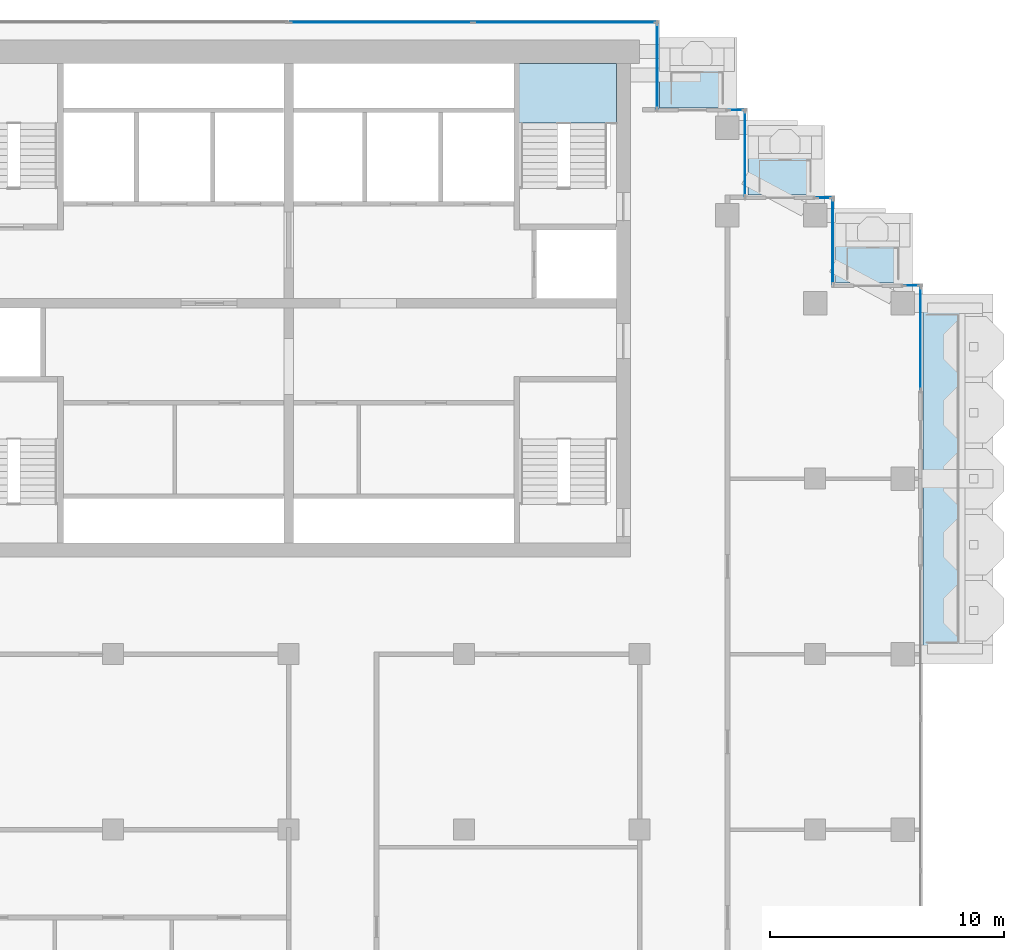
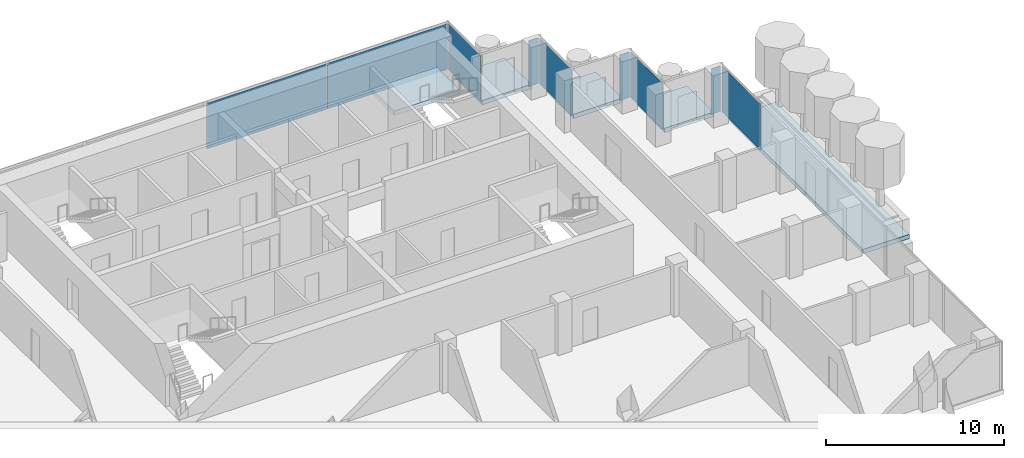
# One storey, part 10 of 18: 9 plates, 5 slabs, 9 elements without a shape of their own.
"""IFC4 building model written with IfcOpenShell, lengths in metres."""

from ifc_helpers import new_model, si_unit, direction, frame, origin, origin_2d, place, context, subcontext, project, spatial, polyline, rectangle, outline, extrude, material, layer, layer_set, type_object, element, aggregate, save


model = new_model("IFC4")

# Units and contexts
model_context = context("Model", 3, precision=1e-05, world=origin(), true_north=direction((0.0, 1.0)))
body_context = subcontext(model_context, "Body", "Model", "MODEL_VIEW")
ifc_project = project(units=[si_unit("LENGTHUNIT", "METRE"), si_unit("AREAUNIT", "SQUARE_METRE"), si_unit("VOLUMEUNIT", "CUBIC_METRE"), si_unit("PLANEANGLEUNIT", "RADIAN"), si_unit("MASSUNIT", "GRAM", prefix="KILO")], contexts=[model_context])

# Site, building, storey
site_placement = place(None, origin())
site = spatial("IfcSite", under=ifc_project, at=site_placement, CompositionType="ELEMENT")
building_placement = place(site_placement, origin())
building = spatial("IfcBuilding", under=site, at=building_placement, Name="Pilkhan Gate Tower", CompositionType="ELEMENT")
storey_placement = place(building_placement, frame((0.0, 0.0, 203.10009765625)))
storey = spatial("IfcBuildingStorey", under=building, at=storey_placement, Name="L52", CompositionType="ELEMENT", Elevation=203.10009765625)

# Slabs
ifc_material_1 = material(Name="Concrete C60/75", Category="concrete")
ifc_layer_1 = layer(ifc_material_1, 0.300048828125)
ifc_layer_set_1 = layer_set([ifc_layer_1], Name="Balcony tray slab TR300")
slab_type_1 = type_object("IfcSlabType", Name="Balcony tray slab TR300", PredefinedType="FLOOR", material=ifc_layer_set_1)
slab_1_placement = place(storey_placement, frame((0.0, 0.0, -0.300048828125)))
element("IfcSlab", 1, at=slab_1_placement, inside=storey, type_object=slab_type_1, Name="Balcony tray L52 E", PredefinedType="FLOOR", context=body_context, shape_type="SweptSolid", body=[
    extrude(outline(polyline([(105.10009765625, 67.5), (105.10009765625, 82.5), (102.10009765625, 82.5), (102.10009765625, 67.5), (105.10009765625, 67.5)])), origin(), (0.0, 0.0, 1.0), 0.300048828125),
])
slab_2_placement = place(storey_placement, frame((0.0, 0.0, -0.300048828125)))
element("IfcSlab", 2, at=slab_2_placement, inside=storey, type_object=slab_type_1, Name="Balcony tray L52 N", PredefinedType="FLOOR", context=body_context, shape_type="SweptSolid", body=[
    extrude(outline(polyline([(94.050048828125, 90.85009765625), (94.050048828125, 93.85009765625), (90.85009765625, 93.85009765625), (90.85009765625, 90.85009765625), (94.050048828125, 90.85009765625)])), origin(), (0.0, 0.0, 1.0), 0.300048828125),
])
slab_3_placement = place(storey_placement, frame((0.0, 0.0, -0.300048828125)))
element("IfcSlab", 3, at=slab_3_placement, inside=storey, type_object=slab_type_1, Name="Balcony tray L52 N", PredefinedType="FLOOR", context=body_context, shape_type="SweptSolid", body=[
    extrude(outline(polyline([(97.800048828125, 87.1201171875), (97.800048828125, 90.10009765625), (94.6201171875, 90.10009765625), (94.6201171875, 87.1201171875), (97.800048828125, 87.1201171875)])), origin(), (0.0, 0.0, 1.0), 0.300048828125),
])
slab_4_placement = place(storey_placement, frame((0.0, 0.0, -0.300048828125)))
element("IfcSlab", 4, at=slab_4_placement, inside=storey, type_object=slab_type_1, Name="Balcony tray L52 N", PredefinedType="FLOOR", context=body_context, shape_type="SweptSolid", body=[
    extrude(outline(polyline([(101.550048828125, 83.3701171875), (101.550048828125, 86.35009765625), (98.3701171875, 86.35009765625), (98.3701171875, 83.3701171875), (101.550048828125, 83.3701171875)])), origin(), (0.0, 0.0, 1.0), 0.300048828125),
])

# Curtain wall, plate
ifc_material_2 = material(Name="Pale anodised aluminium, clear low-iron double glazing", Category="aluminium")
curtain_wall_type = type_object("IfcCurtainWallType", Name="Office unitised curtain wall CW-O2", PredefinedType="USERDEFINED", material=ifc_material_2)
curtain_wall_1_placement = place(storey_placement, origin())
curtain_wall_1 = element("IfcCurtainWall", 5, at=curtain_wall_1_placement, inside=storey, type_object=curtain_wall_type, Name="Office unitised curtain wall CW-O2 L52 E", ObjectType="UNITISED CURTAIN WALL", PredefinedType="USERDEFINED")
ifc_material_3 = material(Name="Clear low-iron double glazing", Category="glass")
ifc_layer_2 = layer(ifc_material_3, 0.031982421875)
ifc_layer_set_2 = layer_set([ifc_layer_2], Name="Glass panel CW-O2 32")
plate_type = type_object("IfcPlateType", Name="Glass panel CW-O2 32", PredefinedType="CURTAIN_PANEL", material=ifc_layer_set_2)
plate_1_placement = place(storey_placement, frame((102.0, 81.0, 0.0), z_axis=(0.0, 0.0, 1.0), x_axis=(0.0, 1.0, 0.0)))
plate_1 = element("IfcPlate", 6, at=plate_1_placement, type_object=plate_type, Name="CW-O2 panel 1", PredefinedType="CURTAIN_PANEL", context=body_context, shape_type="SweptSolid", body=[
    extrude(rectangle(XDim=4.3701171875, YDim=0.031982421875, at=origin_2d()), origin(), (0.0, 0.0, 1.0), 3.135009765625),
])
aggregate(curtain_wall_1, [plate_1])

curtain_wall_2_placement = place(storey_placement, origin())
curtain_wall_2 = element("IfcCurtainWall", 7, at=curtain_wall_2_placement, inside=storey, type_object=curtain_wall_type, Name="Office unitised curtain wall CW-O2 L52 N", ObjectType="UNITISED CURTAIN WALL", PredefinedType="USERDEFINED")
plate_2_placement = place(storey_placement, frame((101.625, 83.25, 0.0), z_axis=(0.0, 0.0, 1.0), x_axis=(1.0, 0.0, 0.0)))
plate_2 = element("IfcPlate", 8, at=plate_2_placement, type_object=plate_type, Name="CW-O2 panel 1", PredefinedType="CURTAIN_PANEL", context=body_context, shape_type="SweptSolid", body=[
    extrude(rectangle(XDim=0.6201171875, YDim=0.031982421875, at=origin_2d()), origin(), (0.0, 0.0, 1.0), 3.135009765625),
])
aggregate(curtain_wall_2, [plate_2])

curtain_wall_3_placement = place(storey_placement, origin())
curtain_wall_3 = element("IfcCurtainWall", 9, at=curtain_wall_3_placement, inside=storey, type_object=curtain_wall_type, Name="Office unitised curtain wall CW-O2 L52 E", ObjectType="UNITISED CURTAIN WALL", PredefinedType="USERDEFINED")
plate_3_placement = place(storey_placement, frame((98.25, 85.125, 0.0), z_axis=(0.0, 0.0, 1.0), x_axis=(0.0, 1.0, 0.0)))
plate_3 = element("IfcPlate", 10, at=plate_3_placement, type_object=plate_type, Name="CW-O2 panel 1", PredefinedType="CURTAIN_PANEL", context=body_context, shape_type="SweptSolid", body=[
    extrude(rectangle(XDim=3.6201171875, YDim=0.031982421875, at=origin_2d()), origin(), (0.0, 0.0, 1.0), 3.135009765625),
])
aggregate(curtain_wall_3, [plate_3])

curtain_wall_4_placement = place(storey_placement, origin())
curtain_wall_4 = element("IfcCurtainWall", 11, at=curtain_wall_4_placement, inside=storey, type_object=curtain_wall_type, Name="Office unitised curtain wall CW-O2 L52 N", ObjectType="UNITISED CURTAIN WALL", PredefinedType="USERDEFINED")
plate_4_placement = place(storey_placement, frame((97.875, 87.0, 0.0), z_axis=(0.0, 0.0, 1.0), x_axis=(1.0, 0.0, 0.0)))
plate_4 = element("IfcPlate", 12, at=plate_4_placement, type_object=plate_type, Name="CW-O2 panel 1", PredefinedType="CURTAIN_PANEL", context=body_context, shape_type="SweptSolid", body=[
    extrude(rectangle(XDim=0.6201171875, YDim=0.031982421875, at=origin_2d()), origin(), (0.0, 0.0, 1.0), 3.135009765625),
])
aggregate(curtain_wall_4, [plate_4])

curtain_wall_5_placement = place(storey_placement, origin())
curtain_wall_5 = element("IfcCurtainWall", 13, at=curtain_wall_5_placement, inside=storey, type_object=curtain_wall_type, Name="Office unitised curtain wall CW-O2 L52 E", ObjectType="UNITISED CURTAIN WALL", PredefinedType="USERDEFINED")
plate_5_placement = place(storey_placement, frame((94.5, 88.875, 0.0), z_axis=(0.0, 0.0, 1.0), x_axis=(0.0, 1.0, 0.0)))
plate_5 = element("IfcPlate", 14, at=plate_5_placement, type_object=plate_type, Name="CW-O2 panel 1", PredefinedType="CURTAIN_PANEL", context=body_context, shape_type="SweptSolid", body=[
    extrude(rectangle(XDim=3.6201171875, YDim=0.031982421875, at=origin_2d()), origin(), (0.0, 0.0, 1.0), 3.135009765625),
])
aggregate(curtain_wall_5, [plate_5])

curtain_wall_6_placement = place(storey_placement, origin())
curtain_wall_6 = element("IfcCurtainWall", 15, at=curtain_wall_6_placement, inside=storey, type_object=curtain_wall_type, Name="Office unitised curtain wall CW-O2 L52 N", ObjectType="UNITISED CURTAIN WALL", PredefinedType="USERDEFINED")
plate_6_placement = place(storey_placement, frame((94.125, 90.75, 0.0), z_axis=(0.0, 0.0, 1.0), x_axis=(1.0, 0.0, 0.0)))
plate_6 = element("IfcPlate", 16, at=plate_6_placement, type_object=plate_type, Name="CW-O2 panel 1", PredefinedType="CURTAIN_PANEL", context=body_context, shape_type="SweptSolid", body=[
    extrude(rectangle(XDim=0.6201171875, YDim=0.031982421875, at=origin_2d()), origin(), (0.0, 0.0, 1.0), 3.135009765625),
])
aggregate(curtain_wall_6, [plate_6])

curtain_wall_7_placement = place(storey_placement, origin())
curtain_wall_7 = element("IfcCurtainWall", 17, at=curtain_wall_7_placement, inside=storey, type_object=curtain_wall_type, Name="Office unitised curtain wall CW-O2 L52 E", ObjectType="UNITISED CURTAIN WALL", PredefinedType="USERDEFINED")
plate_7_placement = place(storey_placement, frame((90.75, 92.625, 0.0), z_axis=(0.0, 0.0, 1.0), x_axis=(0.0, 1.0, 0.0)))
plate_7 = element("IfcPlate", 18, at=plate_7_placement, type_object=plate_type, Name="CW-O2 panel 1", PredefinedType="CURTAIN_PANEL", context=body_context, shape_type="SweptSolid", body=[
    extrude(rectangle(XDim=3.6201171875, YDim=0.031982421875, at=origin_2d()), origin(), (0.0, 0.0, 1.0), 3.135009765625),
])
aggregate(curtain_wall_7, [plate_7])

# Curtain wall, plates
curtain_wall_8_placement = place(storey_placement, origin())
curtain_wall_8 = element("IfcCurtainWall", 19, at=curtain_wall_8_placement, inside=storey, type_object=curtain_wall_type, Name="Office unitised curtain wall CW-O2 L52 N", ObjectType="UNITISED CURTAIN WALL", PredefinedType="USERDEFINED")
plate_8_placement = place(storey_placement, frame((78.953857421875, 94.5, 0.0), z_axis=(0.0, 0.0, 1.0), x_axis=(1.0, 0.0, 0.0)))
plate_8 = element("IfcPlate", 20, at=plate_8_placement, type_object=plate_type, Name="CW-O2 panel 1", PredefinedType="CURTAIN_PANEL", context=body_context, shape_type="SweptSolid", body=[
    extrude(rectangle(XDim=7.777587890625, YDim=0.031982421875, at=origin_2d()), origin(), (0.0, 0.0, 1.0), 3.135009765625),
])
plate_9_placement = place(storey_placement, frame((86.796142578125, 94.5, 0.0), z_axis=(0.0, 0.0, 1.0), x_axis=(1.0, 0.0, 0.0)))
plate_9 = element("IfcPlate", 21, at=plate_9_placement, type_object=plate_type, Name="CW-O2 panel 2", PredefinedType="CURTAIN_PANEL", context=body_context, shape_type="SweptSolid", body=[
    extrude(rectangle(XDim=7.777587890625, YDim=0.031982421875, at=origin_2d()), origin(), (0.0, 0.0, 1.0), 3.135009765625),
])
aggregate(curtain_wall_8, [plate_8, plate_9])

# Stair, slab
ifc_material_4 = material(Name="Concrete C40/50 precast", Category="concrete")
stair_type = type_object("IfcStairType", Name="Stair ST4 164x280", PredefinedType="HALF_TURN_STAIR", material=ifc_material_4)
stair_placement = place(storey_placement, origin())
stair = element("IfcStair", 22, at=stair_placement, inside=storey, type_object=stair_type, Name="Stair ST4 L52", PredefinedType="HALF_TURN_STAIR")
ifc_material_5 = material(Name="Concrete C40/50", Category="concrete")
ifc_layer_3 = layer(ifc_material_5, 0.199951171875)
ifc_layer_set_3 = layer_set([ifc_layer_3], Name="Stair landing SL200")
slab_type_2 = type_object("IfcSlabType", Name="Stair landing SL200", PredefinedType="LANDING", material=ifc_layer_set_3)
slab_5_placement = place(storey_placement, frame((0.0, 0.0, 1.5)))
slab_5 = element("IfcSlab", 23, at=slab_5_placement, type_object=slab_type_2, Name="ST4 landing 1", PredefinedType="LANDING", context=body_context, shape_type="SweptSolid", body=[
    extrude(outline(polyline([(89.0, 90.199951171875), (89.0, 92.75), (84.75, 92.75), (84.75, 90.199951171875), (89.0, 90.199951171875)])), origin(), (0.0, 0.0, 1.0), 0.2998046875),
])
aggregate(stair, [slab_5])

save(model, "model.ifc")
